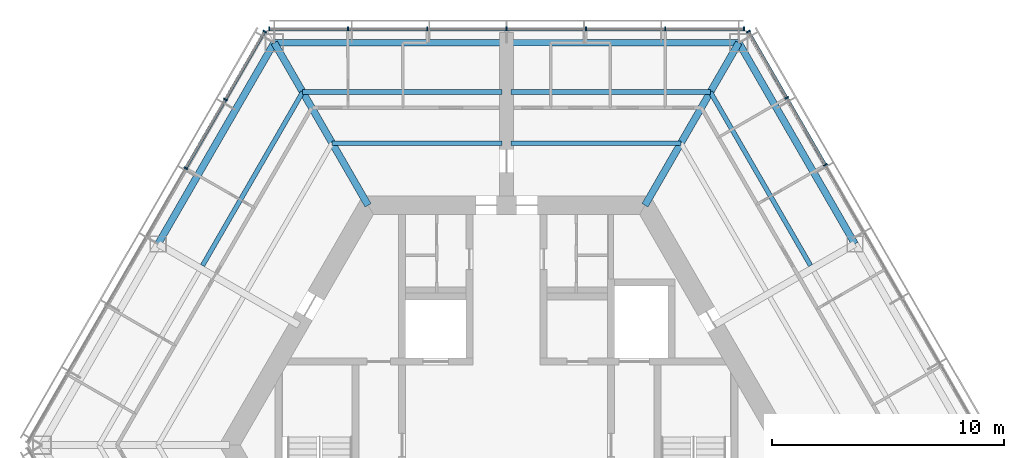
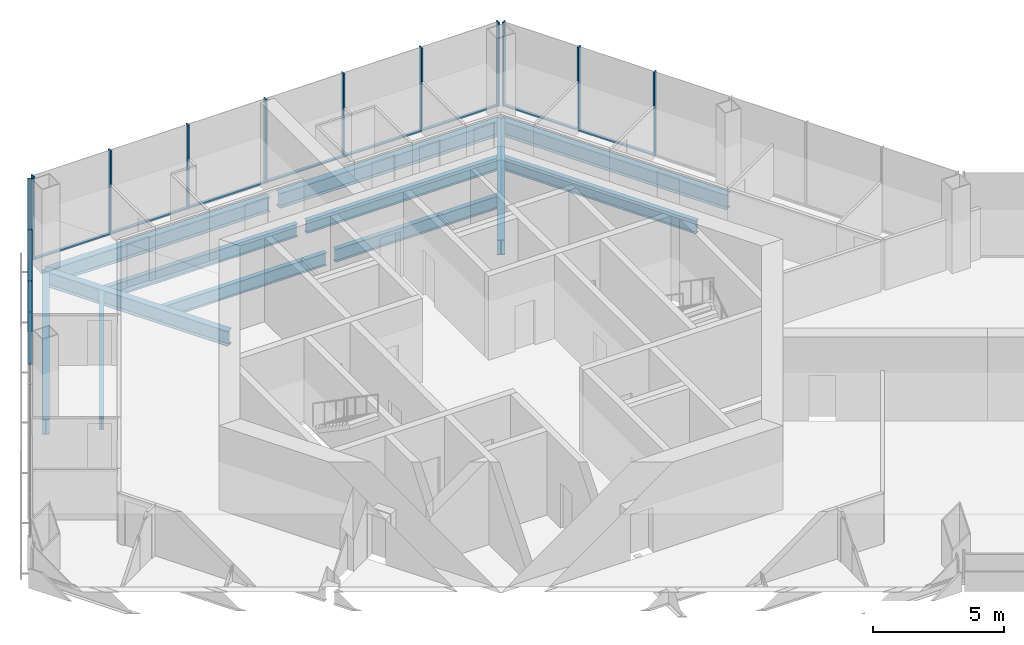
# One storey, part 5 of 13: 23 members, 12 beams, 3 elements without a shape of their own.
"""IFC4 building model written with IfcOpenShell, lengths in metres."""

from ifc_helpers import new_model, si_unit, direction, frame, origin, origin_2d, place, context, subcontext, project, spatial, rectangle, i_section, extrude, material, material_profile, profile_set, type_object, element, aggregate, save


model = new_model("IFC4")

# Units and contexts
model_context = context("Model", 3, precision=1e-05, world=origin(), true_north=direction((0.0, 1.0)))
body_context = subcontext(model_context, "Body", "Model", "MODEL_VIEW")
ifc_project = project(units=[si_unit("LENGTHUNIT", "METRE"), si_unit("AREAUNIT", "SQUARE_METRE"), si_unit("VOLUMEUNIT", "CUBIC_METRE"), si_unit("PLANEANGLEUNIT", "RADIAN"), si_unit("MASSUNIT", "GRAM", prefix="KILO")], contexts=[model_context])

# Site, building, storey
site_placement = place(None, origin())
site = spatial("IfcSite", under=ifc_project, at=site_placement, CompositionType="ELEMENT")
building_placement = place(site_placement, origin())
building = spatial("IfcBuilding", under=site, at=building_placement, Name="Kasaneha Research Tower", CompositionType="ELEMENT")
storey_placement = place(building_placement, frame((0.0, 0.0, 298.60009765625)))
storey = spatial("IfcBuildingStorey", under=building, at=storey_placement, Name="L75", CompositionType="ELEMENT", Elevation=298.60009765625)

# Beams
ifc_material_1 = material(Name="Steel SN490B", Category="steel")
ifc_material_profile_1 = material_profile(ifc_material_1, i_section(OverallWidth=0.199951171875, OverallDepth=0.60009765625, WebThickness=0.010986328125, FlangeThickness=0.01708984375, FilletRadius=0.012939453125, at=origin_2d()), Name="H-600x200x11x17")
ifc_profile_set_1 = profile_set([ifc_material_profile_1], Name="Steel SN490B")
beam_type_1 = type_object("IfcBeamType", Name="B1-3 secondary beam H-600x200x11x17", PredefinedType="JOIST", material=ifc_profile_set_1)
beam_1_placement = place(storey_placement, frame((8.775634765625, 15.199951171875, -0.4501953125), z_axis=(0.500017275495, -0.866015429543, 0.0), x_axis=(0.866015429543, 0.500017275495, 0.0)))
element("IfcBeam", 1, at=beam_1_placement, inside=storey, type_object=beam_type_1, Name="Secondary beam RS030R2 L75", PredefinedType="JOIST", context=body_context, shape_type="SweptSolid", body=[
    extrude(i_section(OverallWidth=0.199951171875, OverallDepth=0.60009765625, WebThickness=0.010986328125, FlangeThickness=0.01708984375, FilletRadius=0.012939453125, at=origin_2d()), origin(), (0.0, 0.0, 1.0), 8.625732421875),
])
beam_2_placement = place(storey_placement, frame((7.505615234375, 13.0, -0.4501953125), z_axis=(-1.0, 0.0, 0.0), x_axis=(0.0, -1.0, 0.0)))
element("IfcBeam", 2, at=beam_2_placement, inside=storey, type_object=beam_type_1, Name="Secondary beam RS090L1 L75", PredefinedType="JOIST", context=body_context, shape_type="SweptSolid", body=[
    extrude(i_section(OverallWidth=0.199951171875, OverallDepth=0.60009765625, WebThickness=0.010986328125, FlangeThickness=0.01708984375, FilletRadius=0.012939453125, at=origin_2d()), origin(), (0.0, 0.0, 1.0), 7.3056640625),
])
beam_3_placement = place(storey_placement, frame((8.775634765625, 15.199951171875, -0.4501953125), z_axis=(-1.0, 0.0, 0.0), x_axis=(0.0, -1.0, 0.0)))
element("IfcBeam", 3, at=beam_3_placement, inside=storey, type_object=beam_type_1, Name="Secondary beam RS090L2 L75", PredefinedType="JOIST", context=body_context, shape_type="SweptSolid", body=[
    extrude(i_section(OverallWidth=0.199951171875, OverallDepth=0.60009765625, WebThickness=0.010986328125, FlangeThickness=0.01708984375, FilletRadius=0.012939453125, at=origin_2d()), origin(), (0.0, 0.0, 1.0), 8.57568359375),
])
beam_4_placement = place(storey_placement, frame((-7.505615234375, 13.0, -0.4501953125), z_axis=(1.0, 0.0, 0.0), x_axis=(0.0, 1.0, 0.0)))
element("IfcBeam", 4, at=beam_4_placement, inside=storey, type_object=beam_type_1, Name="Secondary beam RS090R1 L75", PredefinedType="JOIST", context=body_context, shape_type="SweptSolid", body=[
    extrude(i_section(OverallWidth=0.199951171875, OverallDepth=0.60009765625, WebThickness=0.010986328125, FlangeThickness=0.01708984375, FilletRadius=0.012939453125, at=origin_2d()), origin(), (0.0, 0.0, 1.0), 7.3056640625),
])
beam_5_placement = place(storey_placement, frame((-8.775634765625, 15.199951171875, -0.4501953125), z_axis=(1.0, 0.0, 0.0), x_axis=(0.0, 1.0, 0.0)))
element("IfcBeam", 5, at=beam_5_placement, inside=storey, type_object=beam_type_1, Name="Secondary beam RS090R2 L75", PredefinedType="JOIST", context=body_context, shape_type="SweptSolid", body=[
    extrude(i_section(OverallWidth=0.199951171875, OverallDepth=0.60009765625, WebThickness=0.010986328125, FlangeThickness=0.01708984375, FilletRadius=0.012939453125, at=origin_2d()), origin(), (0.0, 0.0, 1.0), 8.57568359375),
])
beam_6_placement = place(storey_placement, frame((-8.775634765625, 15.199951171875, -0.4501953125), z_axis=(-0.500017275495, -0.866015429543, 0.0), x_axis=(0.866015429543, -0.500017275495, 0.0)))
element("IfcBeam", 6, at=beam_6_placement, inside=storey, type_object=beam_type_1, Name="Secondary beam RS150L2 L75", PredefinedType="JOIST", context=body_context, shape_type="SweptSolid", body=[
    extrude(i_section(OverallWidth=0.199951171875, OverallDepth=0.60009765625, WebThickness=0.010986328125, FlangeThickness=0.01708984375, FilletRadius=0.012939453125, at=origin_2d()), origin(), (0.0, 0.0, 1.0), 8.625732421875),
])

# Curtain wall, members
ifc_material_2 = material(Name="Glass and aluminium", Category="aluminium")
curtain_wall_type = type_object("IfcCurtainWallType", Name="Crown curtain wall", PredefinedType="USERDEFINED", material=ifc_material_2)
curtain_wall_1_placement = place(storey_placement, origin())
curtain_wall_1 = element("IfcCurtainWall", 7, at=curtain_wall_1_placement, inside=storey, type_object=curtain_wall_type, Name="CW-C L75 run 01a", ObjectType="UNITISED CURTAIN WALL", PredefinedType="USERDEFINED")
ifc_material_3 = material(Name="Aluminium 6063-T6", Category="aluminium")
ifc_material_profile_2 = material_profile(ifc_material_3, rectangle(XDim=0.06005859375, YDim=0.179931640625, at=origin_2d()), Name="CW-C mullion 60x180")
ifc_profile_set_2 = profile_set([ifc_material_profile_2], Name="Aluminium 6063-T6")
member_type_1 = type_object("IfcMemberType", Name="CW-C mullion", PredefinedType="MULLION", material=ifc_profile_set_2)
member_1_placement = place(storey_placement, frame((13.727294921875, 12.064453125, 0.0), z_axis=(0.0, 0.0, 1.0), x_axis=(-0.499999979232, 0.866025415775, 0.0)))
member_1 = element("IfcMember", 8, at=member_1_placement, type_object=member_type_1, Name="CW-C mullion 5", PredefinedType="MULLION", context=body_context, shape_type="SweptSolid", body=[
    extrude(rectangle(XDim=0.06005859375, YDim=0.179931640625, at=origin_2d()), origin(), (0.0, 0.0, 1.0), 3.89990234375),
])
member_2_placement = place(storey_placement, frame((12.061767578125, 14.94921875, 0.0), z_axis=(0.0, 0.0, 1.0), x_axis=(-0.499999979232, 0.866025415775, 0.0)))
member_2 = element("IfcMember", 9, at=member_2_placement, type_object=member_type_1, Name="CW-C mullion 6", PredefinedType="MULLION", context=body_context, shape_type="SweptSolid", body=[
    extrude(rectangle(XDim=0.06005859375, YDim=0.179931640625, at=origin_2d()), origin(), (0.0, 0.0, 1.0), 3.89990234375),
])
member_3_placement = place(storey_placement, frame((10.411376953125, 17.807861328125, 0.0), z_axis=(0.0, 0.0, 1.0), x_axis=(-0.499999979232, 0.866025415775, 0.0)))
member_3 = element("IfcMember", 10, at=member_3_placement, type_object=member_type_1, Name="CW-C mullion 7", PredefinedType="MULLION", context=body_context, shape_type="SweptSolid", body=[
    extrude(rectangle(XDim=0.06005859375, YDim=0.179931640625, at=origin_2d()), origin(), (0.0, 0.0, 1.0), 3.89990234375),
])

curtain_wall_2_placement = place(storey_placement, origin())
curtain_wall_2 = element("IfcCurtainWall", 11, at=curtain_wall_2_placement, inside=storey, type_object=curtain_wall_type, Name="CW-C L75 run 02a", ObjectType="UNITISED CURTAIN WALL", PredefinedType="USERDEFINED")
member_4_placement = place(storey_placement, frame((10.21630859375, 17.92041015625, 0.0), z_axis=(0.0, 0.0, 1.0), x_axis=(-1.0, 0.0, 0.0)))
member_4 = element("IfcMember", 12, at=member_4_placement, type_object=member_type_1, Name="CW-C mullion 1", PredefinedType="MULLION", context=body_context, shape_type="SweptSolid", body=[
    extrude(rectangle(XDim=0.06005859375, YDim=0.179931640625, at=origin_2d()), origin(), (0.0, 0.0, 1.0), 3.89990234375),
])
member_5_placement = place(storey_placement, frame((6.8310546875, 17.92041015625, 0.0), z_axis=(0.0, 0.0, 1.0), x_axis=(-1.0, 0.0, 0.0)))
member_5 = element("IfcMember", 13, at=member_5_placement, type_object=member_type_1, Name="CW-C mullion 2", PredefinedType="MULLION", context=body_context, shape_type="SweptSolid", body=[
    extrude(rectangle(XDim=0.06005859375, YDim=0.179931640625, at=origin_2d()), origin(), (0.0, 0.0, 1.0), 3.89990234375),
])
member_6_placement = place(storey_placement, frame((3.41552734375, 17.92041015625, 0.0), z_axis=(0.0, 0.0, 1.0), x_axis=(-1.0, 0.0, 0.0)))
member_6 = element("IfcMember", 14, at=member_6_placement, type_object=member_type_1, Name="CW-C mullion 3", PredefinedType="MULLION", context=body_context, shape_type="SweptSolid", body=[
    extrude(rectangle(XDim=0.06005859375, YDim=0.179931640625, at=origin_2d()), origin(), (0.0, 0.0, 1.0), 3.89990234375),
])
member_7_placement = place(storey_placement, frame((0.0, 17.92041015625, 0.0), z_axis=(0.0, 0.0, 1.0), x_axis=(-1.0, 0.0, 0.0)))
member_7 = element("IfcMember", 15, at=member_7_placement, type_object=member_type_1, Name="CW-C mullion 4", PredefinedType="MULLION", context=body_context, shape_type="SweptSolid", body=[
    extrude(rectangle(XDim=0.06005859375, YDim=0.179931640625, at=origin_2d()), origin(), (0.0, 0.0, 1.0), 3.89990234375),
])
member_8_placement = place(storey_placement, frame((-3.41552734375, 17.92041015625, 0.0), z_axis=(0.0, 0.0, 1.0), x_axis=(-1.0, 0.0, 0.0)))
member_8 = element("IfcMember", 16, at=member_8_placement, type_object=member_type_1, Name="CW-C mullion 5", PredefinedType="MULLION", context=body_context, shape_type="SweptSolid", body=[
    extrude(rectangle(XDim=0.06005859375, YDim=0.179931640625, at=origin_2d()), origin(), (0.0, 0.0, 1.0), 3.89990234375),
])
member_9_placement = place(storey_placement, frame((-6.8310546875, 17.92041015625, 0.0), z_axis=(0.0, 0.0, 1.0), x_axis=(-1.0, 0.0, 0.0)))
member_9 = element("IfcMember", 17, at=member_9_placement, type_object=member_type_1, Name="CW-C mullion 6", PredefinedType="MULLION", context=body_context, shape_type="SweptSolid", body=[
    extrude(rectangle(XDim=0.06005859375, YDim=0.179931640625, at=origin_2d()), origin(), (0.0, 0.0, 1.0), 3.89990234375),
])
member_10_placement = place(storey_placement, frame((-10.21630859375, 17.92041015625, 0.0), z_axis=(0.0, 0.0, 1.0), x_axis=(-1.0, 0.0, 0.0)))
member_10 = element("IfcMember", 18, at=member_10_placement, type_object=member_type_1, Name="CW-C mullion 7", PredefinedType="MULLION", context=body_context, shape_type="SweptSolid", body=[
    extrude(rectangle(XDim=0.06005859375, YDim=0.179931640625, at=origin_2d()), origin(), (0.0, 0.0, 1.0), 3.89990234375),
])

curtain_wall_3_placement = place(storey_placement, origin())
curtain_wall_3 = element("IfcCurtainWall", 19, at=curtain_wall_3_placement, inside=storey, type_object=curtain_wall_type, Name="CW-C L75 run 03a", ObjectType="UNITISED CURTAIN WALL", PredefinedType="USERDEFINED")
member_11_placement = place(storey_placement, frame((-10.411376953125, 17.807861328125, 0.0), z_axis=(0.0, 0.0, 1.0), x_axis=(-0.499999995722, -0.866025406254, 0.0)))
member_11 = element("IfcMember", 20, at=member_11_placement, type_object=member_type_1, Name="CW-C mullion 1", PredefinedType="MULLION", context=body_context, shape_type="SweptSolid", body=[
    extrude(rectangle(XDim=0.06005859375, YDim=0.179931640625, at=origin_2d()), origin(), (0.0, 0.0, 1.0), 3.89990234375),
])
member_12_placement = place(storey_placement, frame((-12.104248046875, 14.8759765625, 0.0), z_axis=(0.0, 0.0, 1.0), x_axis=(-0.499999995722, -0.866025406254, 0.0)))
member_12 = element("IfcMember", 21, at=member_12_placement, type_object=member_type_1, Name="CW-C mullion 2", PredefinedType="MULLION", context=body_context, shape_type="SweptSolid", body=[
    extrude(rectangle(XDim=0.06005859375, YDim=0.179931640625, at=origin_2d()), origin(), (0.0, 0.0, 1.0), 3.89990234375),
])
member_13_placement = place(storey_placement, frame((-13.811767578125, 11.918212890625, 0.0), z_axis=(0.0, 0.0, 1.0), x_axis=(-0.499999995722, -0.866025406254, 0.0)))
member_13 = element("IfcMember", 22, at=member_13_placement, type_object=member_type_1, Name="CW-C mullion 3", PredefinedType="MULLION", context=body_context, shape_type="SweptSolid", body=[
    extrude(rectangle(XDim=0.06005859375, YDim=0.179931640625, at=origin_2d()), origin(), (0.0, 0.0, 1.0), 3.89990234375),
])

# Member
ifc_material_4 = material(Name="Aluminium 6063-T6", Category="aluminium")
ifc_material_profile_3 = material_profile(ifc_material_4, rectangle(XDim=0.1298828125, YDim=0.06005859375, at=origin_2d()), Name="CW-C transom 130x60")
ifc_profile_set_3 = profile_set([ifc_material_profile_3], Name="Aluminium 6063-T6")
member_type_2 = type_object("IfcMemberType", Name="CW-C transom", PredefinedType="USERDEFINED", material=ifc_profile_set_3)
member_14_placement = place(storey_placement, frame((13.71240234375, 12.090576171875, 0.02978515625), z_axis=(-0.500000270186, 0.866025247793, 0.0), x_axis=(-0.866025247793, -0.500000270186, 0.0)))
member_14 = element("IfcMember", 23, at=member_14_placement, type_object=member_type_2, Name="CW-C transom 5", ObjectType="TRANSOM", PredefinedType="USERDEFINED", context=body_context, shape_type="SweptSolid", body=[
    extrude(rectangle(XDim=0.1298828125, YDim=0.06005859375, at=origin_2d()), origin(), (0.0, 0.0, 1.0), 3.27099609375),
])

member_15_placement = place(storey_placement, frame((12.046875, 14.97509765625, 0.02978515625), z_axis=(-0.499955025697, 0.866051368154, 0.0), x_axis=(-0.866051368154, -0.499955025697, 0.0)))
member_15 = element("IfcMember", 24, at=member_15_placement, type_object=member_type_2, Name="CW-C transom 6", ObjectType="TRANSOM", PredefinedType="USERDEFINED", context=body_context, shape_type="SweptSolid", body=[
    extrude(rectangle(XDim=0.1298828125, YDim=0.06005859375, at=origin_2d()), origin(), (0.0, 0.0, 1.0), 3.240966796875),
])

aggregate(curtain_wall_1, [member_1, member_2, member_3, member_14, member_15])

member_16_placement = place(storey_placement, frame((10.1865234375, 17.92041015625, 0.02978515625), z_axis=(-1.0, 0.0, 0.0), x_axis=(0.0, -1.0, 0.0)))
member_16 = element("IfcMember", 25, at=member_16_placement, type_object=member_type_2, Name="CW-C transom 1", ObjectType="TRANSOM", PredefinedType="USERDEFINED", context=body_context, shape_type="SweptSolid", body=[
    extrude(rectangle(XDim=0.1298828125, YDim=0.06005859375, at=origin_2d()), origin(), (0.0, 0.0, 1.0), 3.32568359375),
])

member_17_placement = place(storey_placement, frame((6.801025390625, 17.92041015625, 0.02978515625), z_axis=(-1.0, 0.0, 0.0), x_axis=(0.0, -1.0, 0.0)))
member_17 = element("IfcMember", 26, at=member_17_placement, type_object=member_type_2, Name="CW-C transom 2", ObjectType="TRANSOM", PredefinedType="USERDEFINED", context=body_context, shape_type="SweptSolid", body=[
    extrude(rectangle(XDim=0.1298828125, YDim=0.06005859375, at=origin_2d()), origin(), (0.0, 0.0, 1.0), 3.35546875),
])

member_18_placement = place(storey_placement, frame((3.385498046875, 17.92041015625, 0.02978515625), z_axis=(-1.0, 0.0, 0.0), x_axis=(0.0, -1.0, 0.0)))
member_18 = element("IfcMember", 27, at=member_18_placement, type_object=member_type_2, Name="CW-C transom 3", ObjectType="TRANSOM", PredefinedType="USERDEFINED", context=body_context, shape_type="SweptSolid", body=[
    extrude(rectangle(XDim=0.1298828125, YDim=0.06005859375, at=origin_2d()), origin(), (0.0, 0.0, 1.0), 3.35546875),
])

member_19_placement = place(storey_placement, frame((-0.030029296875, 17.92041015625, 0.02978515625), z_axis=(-1.0, 0.0, 0.0), x_axis=(0.0, -1.0, 0.0)))
member_19 = element("IfcMember", 28, at=member_19_placement, type_object=member_type_2, Name="CW-C transom 4", ObjectType="TRANSOM", PredefinedType="USERDEFINED", context=body_context, shape_type="SweptSolid", body=[
    extrude(rectangle(XDim=0.1298828125, YDim=0.06005859375, at=origin_2d()), origin(), (0.0, 0.0, 1.0), 3.35546875),
])

member_20_placement = place(storey_placement, frame((-3.445556640625, 17.92041015625, 0.02978515625), z_axis=(-1.0, 0.0, 0.0), x_axis=(0.0, -1.0, 0.0)))
member_20 = element("IfcMember", 29, at=member_20_placement, type_object=member_type_2, Name="CW-C transom 5", ObjectType="TRANSOM", PredefinedType="USERDEFINED", context=body_context, shape_type="SweptSolid", body=[
    extrude(rectangle(XDim=0.1298828125, YDim=0.06005859375, at=origin_2d()), origin(), (0.0, 0.0, 1.0), 3.35546875),
])

member_21_placement = place(storey_placement, frame((-6.86083984375, 17.92041015625, 0.02978515625), z_axis=(-1.0, 0.0, 0.0), x_axis=(0.0, -1.0, 0.0)))
member_21 = element("IfcMember", 30, at=member_21_placement, type_object=member_type_2, Name="CW-C transom 6", ObjectType="TRANSOM", PredefinedType="USERDEFINED", context=body_context, shape_type="SweptSolid", body=[
    extrude(rectangle(XDim=0.1298828125, YDim=0.06005859375, at=origin_2d()), origin(), (0.0, 0.0, 1.0), 3.32568359375),
])

aggregate(curtain_wall_2, [member_4, member_5, member_6, member_7, member_8, member_9, member_10, member_16, member_17, member_18, member_19, member_20, member_21])

member_22_placement = place(storey_placement, frame((-10.426513671875, 17.781982421875, 0.02978515625), z_axis=(-0.49997666526, -0.866038875684, 0.0), x_axis=(0.866038875684, -0.49997666526, 0.0)))
member_22 = element("IfcMember", 31, at=member_22_placement, type_object=member_type_2, Name="CW-C transom 1", ObjectType="TRANSOM", PredefinedType="USERDEFINED", context=body_context, shape_type="SweptSolid", body=[
    extrude(rectangle(XDim=0.1298828125, YDim=0.06005859375, at=origin_2d()), origin(), (0.0, 0.0, 1.0), 3.325439453125),
])

member_23_placement = place(storey_placement, frame((-12.119140625, 14.85009765625, 0.02978515625), z_axis=(-0.499989072476, -0.866031712701, 0.0), x_axis=(0.866031712701, -0.499989072476, 0.0)))
member_23 = element("IfcMember", 32, at=member_23_placement, type_object=member_type_2, Name="CW-C transom 2", ObjectType="TRANSOM", PredefinedType="USERDEFINED", context=body_context, shape_type="SweptSolid", body=[
    extrude(rectangle(XDim=0.1298828125, YDim=0.06005859375, at=origin_2d()), origin(), (0.0, 0.0, 1.0), 3.35546875),
])

aggregate(curtain_wall_3, [member_11, member_12, member_13, member_22, member_23])

# Beams
ifc_material_5 = material(Name="Steel SN490B", Category="steel")
ifc_material_profile_4 = material_profile(ifc_material_5, i_section(OverallWidth=0.300048828125, OverallDepth=0.699951171875, WebThickness=0.012939453125, FlangeThickness=0.02392578125, FilletRadius=0.01806640625, at=origin_2d()), Name="H-700x300x13x24")
ifc_profile_set_4 = profile_set([ifc_material_profile_4], Name="Steel SN490B")
beam_type_2 = type_object("IfcBeamType", Name="G1-3 radial girder H-700x300x13x24", PredefinedType="BEAM", material=ifc_profile_set_4)
for number, where, z_axis, x_axis, name in (
    (33, (5.961181640625, 10.324951171875, -0.5), (0.49999105496, 0.866030568144, 0.0), (-0.866030568144, 0.49999105496, 0.0), "Radial girder RV060 L75"),
    (34, (-5.961181640625, 10.324951171875, -0.5), (-0.49999105496, 0.866030568144, 0.0), (-0.866030568144, -0.49999105496, 0.0), "Radial girder RV120 L75"),
):
    element("IfcBeam", number, at=place(storey_placement, frame(where, z_axis=z_axis, x_axis=x_axis)), inside=storey, type_object=beam_type_2, Name=name, PredefinedType="BEAM", context=body_context, shape_type="SweptSolid", body=[
        extrude(i_section(OverallWidth=0.300048828125, OverallDepth=0.699951171875, WebThickness=0.012939453125, FlangeThickness=0.02392578125, FilletRadius=0.01806640625, at=origin_2d()), origin(), (0.0, 0.0, 1.0), 8.077880859375),
    ])
ifc_material_6 = material(Name="Steel SN490B", Category="steel")
ifc_material_profile_5 = material_profile(ifc_material_6, i_section(OverallWidth=0.300048828125, OverallDepth=0.69189453125, WebThickness=0.012939453125, FlangeThickness=0.02001953125, FilletRadius=0.01806640625, at=origin_2d()), Name="H-692x300x13x20")
ifc_profile_set_5 = profile_set([ifc_material_profile_5], Name="Steel SN490B")
beam_type_3 = type_object("IfcBeamType", Name="G3-3 plate edge girder H-692x300x13x20", PredefinedType="BEAM", material=ifc_profile_set_5)
for number, where, z_axis, x_axis, name in (
    (35, (10.0, 17.320556640625, -0.49609375), (-1.0, 0.0, 0.0), (0.0, -1.0, 0.0), "Plate edge girder PEAP L75"),
    (36, (-10.0, 17.320556640625, -0.49609375), (1.0, 0.0, 0.0), (0.0, 1.0, 0.0), "Plate edge girder PEAN L75"),
):
    element("IfcBeam", number, at=place(storey_placement, frame(where, z_axis=z_axis, x_axis=x_axis)), inside=storey, type_object=beam_type_3, Name=name, PredefinedType="BEAM", context=body_context, shape_type="SweptSolid", body=[
        extrude(i_section(OverallWidth=0.300048828125, OverallDepth=0.69189453125, WebThickness=0.012939453125, FlangeThickness=0.02001953125, FilletRadius=0.01806640625, at=origin_2d()), origin(), (0.0, 0.0, 1.0), 9.800048828125),
    ])
ifc_material_7 = material(Name="Steel SN490B", Category="steel")
ifc_material_profile_6 = material_profile(ifc_material_7, i_section(OverallWidth=0.300048828125, OverallDepth=0.69189453125, WebThickness=0.012939453125, FlangeThickness=0.02001953125, FilletRadius=0.01806640625, at=origin_2d()), Name="H-692x300x13x20")
ifc_profile_set_6 = profile_set([ifc_material_profile_6], Name="Steel SN490B")
beam_type_4 = type_object("IfcBeamType", Name="SB1-3 spandrel beam H-692x300x13x20", PredefinedType="SPANDREL", material=ifc_profile_set_6)
for number, where, z_axis, x_axis, name in (
    (37, (10.0, 17.320556640625, -0.49609375), (0.499993662806, -0.866029062534, 0.0), (0.866029062534, 0.499993662806, 0.0), "Spandrel beam SR030R L75"),
    (38, (-10.0, 17.320556640625, -0.49609375), (-0.499993662806, -0.866029062534, 0.0), (0.866029062534, -0.499993662806, 0.0), "Spandrel beam SR150L L75"),
):
    element("IfcBeam", number, at=place(storey_placement, frame(where, z_axis=z_axis, x_axis=x_axis)), inside=storey, type_object=beam_type_4, Name=name, PredefinedType="SPANDREL", context=body_context, shape_type="SweptSolid", body=[
        extrude(i_section(OverallWidth=0.300048828125, OverallDepth=0.69189453125, WebThickness=0.012939453125, FlangeThickness=0.02001953125, FilletRadius=0.01806640625, at=origin_2d()), origin(), (0.0, 0.0, 1.0), 10.000244140625),
    ])

save(model, "model.ifc")
